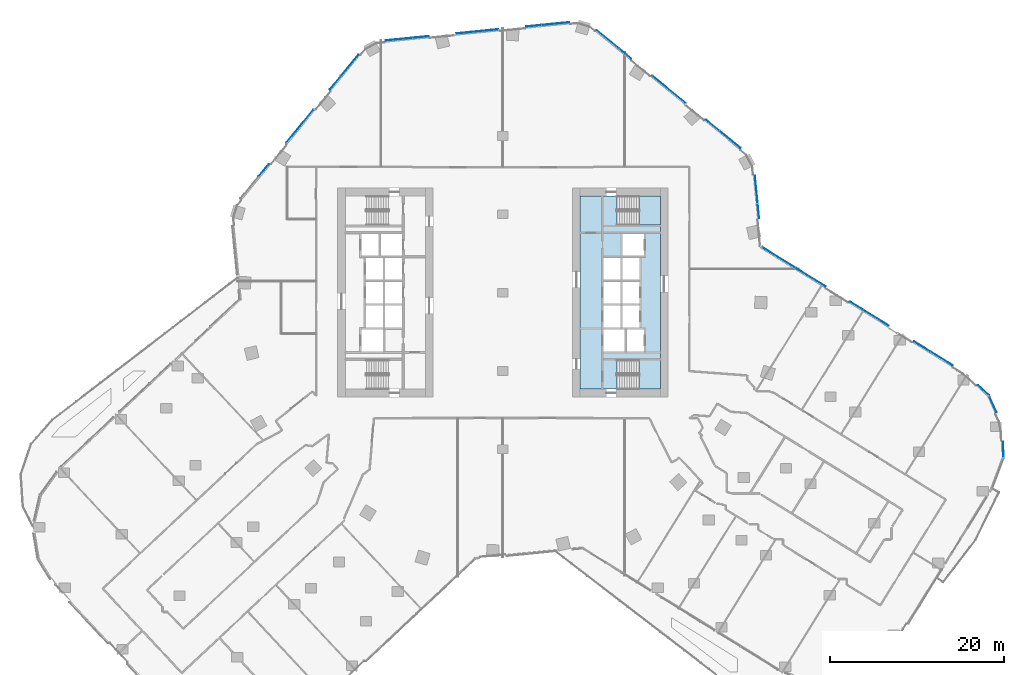
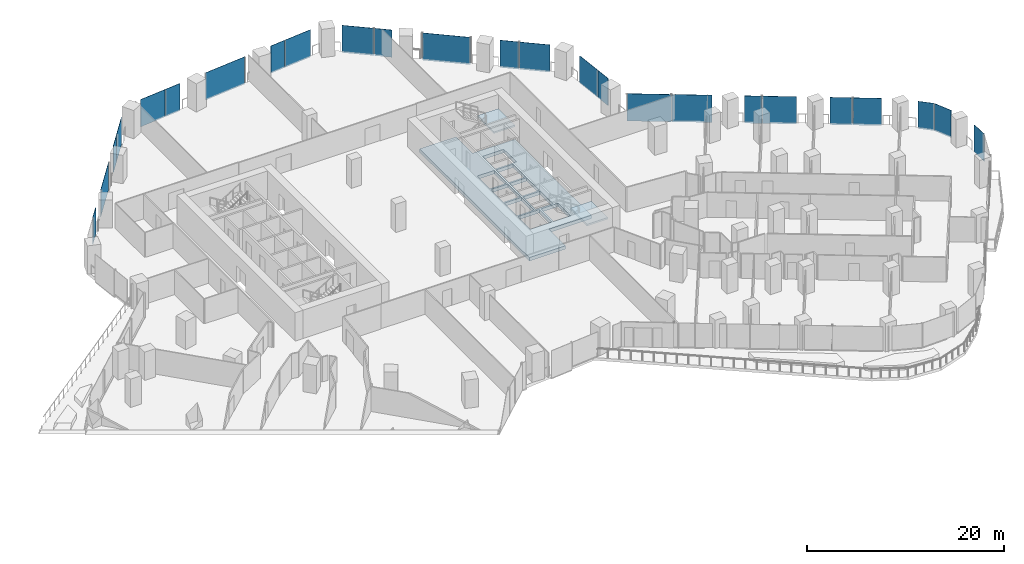
# One storey, part 22 of 34: 25 plates, 3 slabs, 10 elements without a shape of their own.
"""IFC4 building model written with IfcOpenShell, lengths in metres."""

import ifcopenshell
import ifcopenshell.guid

model = None  # the IFC model being written
_history = None  # IfcOwnerHistory: only IFC2X3 demands one
_inside = {}  # id of a spatial element -> (the spatial element, [elements in it])
_under = {}  # id of a project, library or spatial element -> (it, [spatial elements below it])
_declared = {}  # id of a project -> (the project, [libraries it declares])
_typed = {}  # id of a type object -> (the type object, [elements of that type])
_made_of = {}  # id of a material, layer set ... -> (it, [elements and type objects made of it])


def new_model(schema):
    """Start an empty IFC model of exactly this schema.

    Asked for "IFC4X3", IfcOpenShell would pick the latest addendum, in which some entities
    have other attributes; the version numbers below select the first issue.
    IFC2X3 requires an IfcOwnerHistory on every rooted entity: one is made here for all.
    """
    global model, _history
    if schema == "IFC4X3":
        model = ifcopenshell.file(schema_version=(4, 3, 0, 0))
    else:
        model = ifcopenshell.file(schema=schema)
    _inside.clear()
    _under.clear()
    _declared.clear()
    _typed.clear()
    _made_of.clear()
    _history = None
    if model.schema == "IFC2X3":
        org = make("IfcOrganization", Name="unknown")
        user = make(
            "IfcPersonAndOrganization",
            ThePerson=make("IfcPerson", FamilyName="unknown"),
            TheOrganization=org,
        )
        app = make(
            "IfcApplication",
            ApplicationDeveloper=org,
            Version="unknown",
            ApplicationFullName="unknown",
            ApplicationIdentifier="unknown",
        )
        _history = make(
            "IfcOwnerHistory",
            OwningUser=user,
            OwningApplication=app,
            ChangeAction="ADDED",
            CreationDate=0,
        )
    return model


def make(cls, **values):
    """One entity of the class cls with the attributes given. An attribute that is None is left unset."""
    return model.create_entity(
        cls, **{name: value for name, value in values.items() if value is not None}
    )


def rooted(cls, **values):
    """An entity with a GlobalId (a new one), such as an element, a storey or a relation."""
    return make(cls, GlobalId=ifcopenshell.guid.new(), OwnerHistory=_history, **values)


def si_unit(unit_type, name, prefix=None):
    """IfcSIUnit, for example si_unit("LENGTHUNIT", "METRE", prefix="MILLI")."""
    return make("IfcSIUnit", UnitType=unit_type, Prefix=prefix, Name=name)


def assignment(units):
    """IfcUnitAssignment: the units of a project."""
    return None if units is None else make("IfcUnitAssignment", Units=units)


def point(xyz):
    """IfcCartesianPoint."""
    return None if xyz is None else make("IfcCartesianPoint", Coordinates=xyz)


def direction(xyz):
    """IfcDirection."""
    return None if xyz is None else make("IfcDirection", DirectionRatios=xyz)


def frame(location, z_axis=None, x_axis=None):
    """IfcAxis2Placement3D, a coordinate frame: its origin and axes. An axis left out is left unset."""
    return make(
        "IfcAxis2Placement3D",
        Location=point(location),
        Axis=direction(z_axis),
        RefDirection=direction(x_axis),
    )


def frame_2d(location, x_axis=None):
    """IfcAxis2Placement2D, a coordinate frame in the plane: its origin and x axis."""
    return make(
        "IfcAxis2Placement2D", Location=point(location), RefDirection=direction(x_axis)
    )


def origin():
    """The frame at (0, 0, 0) with its axes left unset."""
    return frame((0.0, 0.0, 0.0))


def origin_2d():
    """The frame at (0, 0) in the plane with its x axis left unset."""
    return frame_2d((0.0, 0.0))


def place(relative_to, where):
    """IfcLocalPlacement: puts the frame where relative to a parent placement (None: the world)."""
    return make(
        "IfcLocalPlacement", PlacementRelTo=relative_to, RelativePlacement=where
    )


def context(
    kind, dimensions, precision=None, world=None, true_north=None, identifier=None
):
    """IfcGeometricRepresentationContext, for example the 3D "Model" context."""
    return make(
        "IfcGeometricRepresentationContext",
        ContextIdentifier=identifier,
        ContextType=kind,
        CoordinateSpaceDimension=dimensions,
        Precision=precision,
        WorldCoordinateSystem=world,
        TrueNorth=true_north,
    )


def subcontext(parent, identifier, kind, view, scale=None):
    """IfcGeometricRepresentationSubContext, for example "Body" below "Model"."""
    return make(
        "IfcGeometricRepresentationSubContext",
        ContextIdentifier=identifier,
        ContextType=kind,
        ParentContext=parent,
        TargetScale=scale,
        TargetView=view,
    )


def project(units=None, contexts=None):
    """IfcProject with its units and contexts."""
    return rooted(
        "IfcProject",
        Name="project",
        RepresentationContexts=contexts,
        UnitsInContext=assignment(units),
    )


def spatial(cls, under=None, at=None, **own):
    """A site, building, storey or space (cls), placed at a placement, below another one or the project."""
    s = rooted(cls, ObjectPlacement=at, **own)
    if under is not None:
        _under.setdefault(under.id(), (under, []))[1].append(s)
    return s


def polyline(points):
    """IfcPolyline through the points."""
    return make("IfcPolyline", Points=[point(p) for p in points])


def profile(cls, at=None, kind="AREA", **sizes):
    """A parametric profile (cls). Its sizes go by their IFC names, for example OverallWidth=200.0."""
    return make(cls, ProfileType=kind, Position=at, **sizes)


def rectangle(**sizes):
    """IfcRectangleProfileDef."""
    return profile("IfcRectangleProfileDef", **sizes)


def outline(outer, holes=None, kind="AREA"):
    """IfcArbitraryClosedProfileDef: a profile drawn as a closed curve; with holes, ...WithVoids."""
    if holes is None:
        return make("IfcArbitraryClosedProfileDef", ProfileType=kind, OuterCurve=outer)
    return make(
        "IfcArbitraryProfileDefWithVoids",
        ProfileType=kind,
        OuterCurve=outer,
        InnerCurves=holes,
    )


def extrude(swept, where, along, depth):
    """IfcExtrudedAreaSolid: the profile swept, set in the frame where, extruded along a direction by depth."""
    return make(
        "IfcExtrudedAreaSolid",
        SweptArea=swept,
        Position=where,
        ExtrudedDirection=direction(along),
        Depth=depth,
    )


def shape(context_of_items, identifier, shape_type, items):
    """IfcShapeRepresentation: the items that make up one representation, for example the "Body"."""
    return make(
        "IfcShapeRepresentation",
        ContextOfItems=context_of_items,
        RepresentationIdentifier=identifier,
        RepresentationType=shape_type,
        Items=items,
    )


def material(Name=None, Category=None):
    """IfcMaterial."""
    return make("IfcMaterial", Name=Name, Category=Category)


def layer(
    of_material, thickness, ventilated=None, Name=None, Category=None, Priority=None
):
    """IfcMaterialLayer: one layer of a wall or slab, of a material (None: an air gap)."""
    return make(
        "IfcMaterialLayer",
        Material=of_material,
        LayerThickness=thickness,
        IsVentilated=ventilated,
        Name=Name,
        Category=Category,
        Priority=Priority,
    )


def layer_set(layers, Name=None):
    """IfcMaterialLayerSet."""
    return make("IfcMaterialLayerSet", MaterialLayers=layers, LayerSetName=Name)


def made_of(thing, what):
    """Note that an element or type object is made of a material, layer set ...; save() writes the relation."""
    if what is not None:
        _made_of.setdefault(what.id(), (what, []))[1].append(thing)
    return thing


def type_object(cls, material=None, **own):
    """A type object (cls), such as IfcWallType, which elements share."""
    return made_of(rooted(cls, **own), material)


def element(
    cls,
    number,
    at=None,
    inside=None,
    cuts=None,
    type_object=None,
    material=None,
    context=None,
    identifier="Body",
    shape_type=None,
    held_by="IfcProductDefinitionShape",
    body=None,
    shapes=None,
    **own,
):
    """One element of the class cls, such as IfcWall. Its Tag is "e" and its number.

    at: its placement. inside: the storey or other place that contains it. cuts: it is an
    opening in that element (IfcRelVoidsElement). A single representation is given by context,
    identifier, shape_type and body (its items); several are given by shapes. held_by: the class
    of the entity that holds the representations. save() writes the other relations.
    """
    e = rooted(cls, Tag="e%d" % number, ObjectPlacement=at, **own)
    if body is not None:
        shapes = [shape(context, identifier, shape_type, body)]
    if shapes is not None:
        e.Representation = make(held_by, Representations=shapes)
    if inside is not None:
        _inside.setdefault(inside.id(), (inside, []))[1].append(e)
    if cuts is not None:
        rooted(
            "IfcRelVoidsElement", RelatingBuildingElement=cuts, RelatedOpeningElement=e
        )
    if type_object is not None:
        _typed.setdefault(type_object.id(), (type_object, []))[1].append(e)
    return made_of(e, material)


def aggregate(whole, parts):
    """IfcRelAggregates: a whole, such as a stair, and the parts it consists of."""
    return rooted("IfcRelAggregates", RelatingObject=whole, RelatedObjects=parts)


def save(model, path):
    """Write the relations noted so far, then the file.

    IfcRelAggregates (storeys below a building ...), IfcRelContainedInSpatialStructure (elements
    in a storey), IfcRelDefinesByType, IfcRelAssociatesMaterial and IfcRelDeclares: one each for
    every whole, place, type object, material and project.
    """
    for whole, parts in _under.values():
        aggregate(whole, parts)
    for where, things in _inside.values():
        rooted(
            "IfcRelContainedInSpatialStructure",
            RelatedElements=things,
            RelatingStructure=where,
        )
    for kind, things in _typed.values():
        rooted("IfcRelDefinesByType", RelatedObjects=things, RelatingType=kind)
    for what, things in _made_of.values():
        rooted("IfcRelAssociatesMaterial", RelatedObjects=things, RelatingMaterial=what)
    for by, libraries in _declared.values():
        rooted("IfcRelDeclares", RelatingContext=by, RelatedDefinitions=libraries)
    model.write(path)


model = new_model("IFC4")

# Units and contexts
model_context = context("Model", 3, precision=1e-05, world=origin(), true_north=direction((0.0, 1.0)))
body_context = subcontext(model_context, "Body", "Model", "MODEL_VIEW")
ifc_project = project(units=[si_unit("LENGTHUNIT", "METRE"), si_unit("AREAUNIT", "SQUARE_METRE"), si_unit("VOLUMEUNIT", "CUBIC_METRE"), si_unit("PLANEANGLEUNIT", "RADIAN"), si_unit("MASSUNIT", "GRAM", prefix="KILO")], contexts=[model_context])

# Site, building, storey
site_placement = place(None, origin())
site = spatial("IfcSite", under=ifc_project, at=site_placement, CompositionType="ELEMENT")
building_placement = place(site_placement, origin())
building = spatial("IfcBuilding", under=site, at=building_placement, Name="Orlundy Tower", CompositionType="ELEMENT")
storey_placement = place(building_placement, frame((0.0, 0.0, 37.300048828125)))
storey = spatial("IfcBuildingStorey", under=building, at=storey_placement, Name="L07", CompositionType="ELEMENT", Elevation=37.300048828125)

# Curtain wall, plates
ifc_material_1 = material(Name="Aluminium bronze anodised", Category="aluminium")
curtain_wall_type = type_object("IfcCurtainWallType", Name="CW1 wall", PredefinedType="NOTDEFINED", material=ifc_material_1)
curtain_wall_1_placement = place(storey_placement, origin())
curtain_wall_1 = element("IfcCurtainWall", 1, at=curtain_wall_1_placement, inside=storey, type_object=curtain_wall_type, Name="CW1 run 02", PredefinedType="NOTDEFINED")
ifc_material_2 = material(Name="Tinted glass", Category="glass")
ifc_layer_1 = layer(ifc_material_2, 0.031982421875)
ifc_layer_set_1 = layer_set([ifc_layer_1], Name="CW1 glass panel 32")
plate_type = type_object("IfcPlateType", Name="CW1 glass panel 32", PredefinedType="CURTAIN_PANEL", material=ifc_layer_set_1)
plate_1_placement = place(storey_placement, frame((-27.46728515625, 14.070556640625, -0.300048828125), z_axis=(0.0, 0.0, 1.0), x_axis=(0.633818264458, 0.773482002143, 0.0)))
plate_1 = element("IfcPlate", 2, at=plate_1_placement, type_object=plate_type, Name="CW1 panel", PredefinedType="CURTAIN_PANEL", context=body_context, shape_type="SweptSolid", body=[
    extrude(rectangle(XDim=1.809326171875, YDim=0.031982421875, at=origin_2d()), origin(), (0.0, 0.0, 1.0), 3.3798828125),
])
plate_2_placement = place(storey_placement, frame((-23.330810546875, 19.118408203125, -0.300048828125), z_axis=(0.0, 0.0, 1.0), x_axis=(0.633818264458, 0.773482002143, 0.0)))
plate_2 = element("IfcPlate", 3, at=plate_2_placement, type_object=plate_type, Name="CW1 panel", PredefinedType="CURTAIN_PANEL", context=body_context, shape_type="SweptSolid", body=[
    extrude(rectangle(XDim=4.92041015625, YDim=0.031982421875, at=origin_2d()), origin(), (0.0, 0.0, 1.0), 3.3798828125),
])
plate_3_placement = place(storey_placement, frame((-19.240234375, 24.1103515625, -0.300048828125), z_axis=(0.0, 0.0, 1.0), x_axis=(0.633818264458, 0.773482002143, 0.0)))
plate_3 = element("IfcPlate", 4, at=plate_3_placement, type_object=plate_type, Name="CW1 panel", PredefinedType="CURTAIN_PANEL", context=body_context, shape_type="SweptSolid", body=[
    extrude(rectangle(XDim=1.95361328125, YDim=0.031982421875, at=origin_2d()), origin(), (0.0, 0.0, 1.0), 3.3798828125),
])
plate_4_placement = place(storey_placement, frame((-17.60302734375, 26.1083984375, -0.300048828125), z_axis=(0.0, 0.0, 1.0), x_axis=(0.633818264458, 0.773482002143, 0.0)))
plate_4 = element("IfcPlate", 5, at=plate_4_placement, type_object=plate_type, Name="CW1 panel", PredefinedType="CURTAIN_PANEL", context=body_context, shape_type="SweptSolid", body=[
    extrude(rectangle(XDim=3.1123046875, YDim=0.031982421875, at=origin_2d()), origin(), (0.0, 0.0, 1.0), 3.3798828125),
])
aggregate(curtain_wall_1, [plate_1, plate_2, plate_3, plate_4])

curtain_wall_2_placement = place(storey_placement, origin())
curtain_wall_2 = element("IfcCurtainWall", 6, at=curtain_wall_2_placement, inside=storey, type_object=curtain_wall_type, Name="CW1 run 03", PredefinedType="NOTDEFINED")
plate_5_placement = place(storey_placement, frame((-11.924072265625, 29.128662109375, -0.300048828125), z_axis=(0.0, 0.0, 1.0), x_axis=(0.995112991912, 0.098742763424, 0.0)))
plate_5 = element("IfcPlate", 7, at=plate_5_placement, type_object=plate_type, Name="CW1 panel", PredefinedType="CURTAIN_PANEL", context=body_context, shape_type="SweptSolid", body=[
    extrude(rectangle(XDim=3.01708984375, YDim=0.031982421875, at=origin_2d()), origin(), (0.0, 0.0, 1.0), 3.3798828125),
])
plate_6_placement = place(storey_placement, frame((-9.447998046875, 29.374267578125, -0.300048828125), z_axis=(0.0, 0.0, 1.0), x_axis=(0.995112991912, 0.098742763424, 0.0)))
plate_6 = element("IfcPlate", 8, at=plate_6_placement, type_object=plate_type, Name="CW1 panel", PredefinedType="CURTAIN_PANEL", context=body_context, shape_type="SweptSolid", body=[
    extrude(rectangle(XDim=1.859375, YDim=0.031982421875, at=origin_2d()), origin(), (0.0, 0.0, 1.0), 3.3798828125),
])
plate_7_placement = place(storey_placement, frame((-2.94580078125, 30.01953125, -0.300048828125), z_axis=(0.0, 0.0, 1.0), x_axis=(0.995112991912, 0.098742763424, 0.0)))
plate_7 = element("IfcPlate", 9, at=plate_7_placement, type_object=plate_type, Name="CW1 panel", PredefinedType="CURTAIN_PANEL", context=body_context, shape_type="SweptSolid", body=[
    extrude(rectangle(XDim=4.8544921875, YDim=0.031982421875, at=origin_2d()), origin(), (0.0, 0.0, 1.0), 3.3798828125),
])
plate_8_placement = place(storey_placement, frame((3.56640625, 30.66552734375, -0.300048828125), z_axis=(0.0, 0.0, 1.0), x_axis=(0.995112991912, 0.098742763424, 0.0)))
plate_8 = element("IfcPlate", 10, at=plate_8_placement, type_object=plate_type, Name="CW1 panel", PredefinedType="CURTAIN_PANEL", context=body_context, shape_type="SweptSolid", body=[
    extrude(rectangle(XDim=1.707275390625, YDim=0.031982421875, at=origin_2d()), origin(), (0.0, 0.0, 1.0), 3.3798828125),
])
plate_9_placement = place(storey_placement, frame((6.042236328125, 30.911376953125, -0.300048828125), z_axis=(0.0, 0.0, 1.0), x_axis=(0.995112991912, 0.098742763424, 0.0)))
plate_9 = element("IfcPlate", 11, at=plate_9_placement, type_object=plate_type, Name="CW1 panel", PredefinedType="CURTAIN_PANEL", context=body_context, shape_type="SweptSolid", body=[
    extrude(rectangle(XDim=3.169189453125, YDim=0.031982421875, at=origin_2d()), origin(), (0.0, 0.0, 1.0), 3.3798828125),
])
aggregate(curtain_wall_2, [plate_5, plate_6, plate_7, plate_8, plate_9])

curtain_wall_3_placement = place(storey_placement, origin())
curtain_wall_3 = element("IfcCurtainWall", 12, at=curtain_wall_3_placement, inside=storey, type_object=curtain_wall_type, Name="CW1 run 04", PredefinedType="NOTDEFINED")
plate_10_placement = place(storey_placement, frame((12.071533203125, 29.10546875, -0.300048828125), z_axis=(0.0, 0.0, 1.0), x_axis=(0.773482002143, -0.633818264458, 0.0)))
plate_10 = element("IfcPlate", 13, at=plate_10_placement, type_object=plate_type, Name="CW1 panel", PredefinedType="CURTAIN_PANEL", context=body_context, shape_type="SweptSolid", body=[
    extrude(rectangle(XDim=3.259765625, YDim=0.031982421875, at=origin_2d()), origin(), (0.0, 0.0, 1.0), 3.3798828125),
])
plate_11_placement = place(storey_placement, frame((14.070556640625, 27.46728515625, -0.300048828125), z_axis=(0.0, 0.0, 1.0), x_axis=(0.773482002143, -0.633818264458, 0.0)))
plate_11 = element("IfcPlate", 14, at=plate_11_placement, type_object=plate_type, Name="CW1 panel", PredefinedType="CURTAIN_PANEL", context=body_context, shape_type="SweptSolid", body=[
    extrude(rectangle(XDim=1.809326171875, YDim=0.031982421875, at=origin_2d()), origin(), (0.0, 0.0, 1.0), 3.3798828125),
])
plate_12_placement = place(storey_placement, frame((19.118408203125, 23.330810546875, -0.300048828125), z_axis=(0.0, 0.0, 1.0), x_axis=(0.773482002143, -0.633818264458, 0.0)))
plate_12 = element("IfcPlate", 15, at=plate_12_placement, type_object=plate_type, Name="CW1 panel", PredefinedType="CURTAIN_PANEL", context=body_context, shape_type="SweptSolid", body=[
    extrude(rectangle(XDim=4.92041015625, YDim=0.031982421875, at=origin_2d()), origin(), (0.0, 0.0, 1.0), 3.3798828125),
])
plate_13_placement = place(storey_placement, frame((24.1103515625, 19.240234375, -0.300048828125), z_axis=(0.0, 0.0, 1.0), x_axis=(0.773482002143, -0.633818264458, 0.0)))
plate_13 = element("IfcPlate", 16, at=plate_13_placement, type_object=plate_type, Name="CW1 panel", PredefinedType="CURTAIN_PANEL", context=body_context, shape_type="SweptSolid", body=[
    extrude(rectangle(XDim=1.95361328125, YDim=0.031982421875, at=origin_2d()), origin(), (0.0, 0.0, 1.0), 3.3798828125),
])
plate_14_placement = place(storey_placement, frame((26.1083984375, 17.60302734375, -0.300048828125), z_axis=(0.0, 0.0, 1.0), x_axis=(0.773482002143, -0.633818264458, 0.0)))
plate_14 = element("IfcPlate", 17, at=plate_14_placement, type_object=plate_type, Name="CW1 panel", PredefinedType="CURTAIN_PANEL", context=body_context, shape_type="SweptSolid", body=[
    extrude(rectangle(XDim=3.1123046875, YDim=0.031982421875, at=origin_2d()), origin(), (0.0, 0.0, 1.0), 3.3798828125),
])
aggregate(curtain_wall_3, [plate_10, plate_11, plate_12, plate_13, plate_14])

curtain_wall_4_placement = place(storey_placement, origin())
curtain_wall_4 = element("IfcCurtainWall", 18, at=curtain_wall_4_placement, inside=storey, type_object=curtain_wall_type, Name="CW1 run 05", PredefinedType="NOTDEFINED")
plate_15_placement = place(storey_placement, frame((29.135986328125, 11.850341796875, -0.300048828125), z_axis=(0.0, 0.0, 1.0), x_axis=(0.098758968204, -0.995111383815, 0.0)))
plate_15 = element("IfcPlate", 19, at=plate_15_placement, type_object=plate_type, Name="CW1 panel", PredefinedType="CURTAIN_PANEL", context=body_context, shape_type="SweptSolid", body=[
    extrude(rectangle(XDim=3.165283203125, YDim=0.031982421875, at=origin_2d()), origin(), (0.0, 0.0, 1.0), 3.3798828125),
])
plate_16_placement = place(storey_placement, frame((29.381591796875, 9.374267578125, -0.300048828125), z_axis=(0.0, 0.0, 1.0), x_axis=(0.098758968204, -0.995111383815, 0.0)))
plate_16 = element("IfcPlate", 20, at=plate_16_placement, type_object=plate_type, Name="CW1 panel", PredefinedType="CURTAIN_PANEL", context=body_context, shape_type="SweptSolid", body=[
    extrude(rectangle(XDim=1.71142578125, YDim=0.031982421875, at=origin_2d()), origin(), (0.0, 0.0, 1.0), 3.3798828125),
])
aggregate(curtain_wall_4, [plate_15, plate_16])

curtain_wall_5_placement = place(storey_placement, origin())
curtain_wall_5 = element("IfcCurtainWall", 21, at=curtain_wall_5_placement, inside=storey, type_object=curtain_wall_type, Name="CW1 run 06", PredefinedType="NOTDEFINED")
plate_17_placement = place(storey_placement, frame((31.696533203125, 4.055419921875, -0.300048828125), z_axis=(0.0, 0.0, 1.0), x_axis=(0.849584043137, -0.527453271529, 0.0)))
plate_17 = element("IfcPlate", 22, at=plate_17_placement, type_object=plate_type, Name="CW1 panel", PredefinedType="CURTAIN_PANEL", context=body_context, shape_type="SweptSolid", body=[
    extrude(rectangle(XDim=4.48291015625, YDim=0.031982421875, at=origin_2d()), origin(), (0.0, 0.0, 1.0), 3.3798828125),
])
plate_18_placement = place(storey_placement, frame((35.36669921875, 1.77685546875, -0.300048828125), z_axis=(0.0, 0.0, 1.0), x_axis=(0.849584043137, -0.527453271529, 0.0)))
plate_18 = element("IfcPlate", 23, at=plate_18_placement, type_object=plate_type, Name="CW1 panel", PredefinedType="CURTAIN_PANEL", context=body_context, shape_type="SweptSolid", body=[
    extrude(rectangle(XDim=4.05712890625, YDim=0.031982421875, at=origin_2d()), origin(), (0.0, 0.0, 1.0), 3.3798828125),
])
plate_19_placement = place(storey_placement, frame((40.64892578125, -1.50244140625, -0.300048828125), z_axis=(0.0, 0.0, 1.0), x_axis=(0.849584043137, -0.527453271529, 0.0)))
plate_19 = element("IfcPlate", 24, at=plate_19_placement, type_object=plate_type, Name="CW1 panel", PredefinedType="CURTAIN_PANEL", context=body_context, shape_type="SweptSolid", body=[
    extrude(rectangle(XDim=1.76318359375, YDim=0.031982421875, at=origin_2d()), origin(), (0.0, 0.0, 1.0), 3.3798828125),
])
plate_20_placement = place(storey_placement, frame((42.90673828125, -2.904296875, -0.300048828125), z_axis=(0.0, 0.0, 1.0), x_axis=(0.849584043137, -0.527453271529, 0.0)))
plate_20 = element("IfcPlate", 25, at=plate_20_placement, type_object=plate_type, Name="CW1 panel", PredefinedType="CURTAIN_PANEL", context=body_context, shape_type="SweptSolid", body=[
    extrude(rectangle(XDim=3.4521484375, YDim=0.031982421875, at=origin_2d()), origin(), (0.0, 0.0, 1.0), 3.3798828125),
])
plate_21_placement = place(storey_placement, frame((48.23095703125, -6.209716796875, -0.300048828125), z_axis=(0.0, 0.0, 1.0), x_axis=(0.849584043137, -0.527453271529, 0.0)))
plate_21 = element("IfcPlate", 26, at=plate_21_placement, type_object=plate_type, Name="CW1 panel", PredefinedType="CURTAIN_PANEL", context=body_context, shape_type="SweptSolid", body=[
    extrude(rectangle(XDim=2.268798828125, YDim=0.031982421875, at=origin_2d()), origin(), (0.0, 0.0, 1.0), 3.3798828125),
])
plate_22_placement = place(storey_placement, frame((50.45947265625, -7.59326171875, -0.300048828125), z_axis=(0.0, 0.0, 1.0), x_axis=(0.849584043137, -0.527453271529, 0.0)))
plate_22 = element("IfcPlate", 27, at=plate_22_placement, type_object=plate_type, Name="CW1 panel", PredefinedType="CURTAIN_PANEL", context=body_context, shape_type="SweptSolid", body=[
    extrude(rectangle(XDim=2.87744140625, YDim=0.031982421875, at=origin_2d()), origin(), (0.0, 0.0, 1.0), 3.3798828125),
])
aggregate(curtain_wall_5, [plate_17, plate_18, plate_19, plate_20, plate_21, plate_22])

# Curtain wall, plate
curtain_wall_6_placement = place(storey_placement, origin())
curtain_wall_6 = element("IfcCurtainWall", 28, at=curtain_wall_6_placement, inside=storey, type_object=curtain_wall_type, Name="CW1 run 07", PredefinedType="NOTDEFINED")
plate_23_placement = place(storey_placement, frame((55.245361328125, -11.229736328125, -0.300048828125), z_axis=(0.0, 0.0, 1.0), x_axis=(0.730445026852, -0.682971494828, 0.0)))
plate_23 = element("IfcPlate", 29, at=plate_23_placement, type_object=plate_type, Name="CW1 panel", PredefinedType="CURTAIN_PANEL", context=body_context, shape_type="SweptSolid", body=[
    extrude(rectangle(XDim=1.715576171875, YDim=0.031982421875, at=origin_2d()), origin(), (0.0, 0.0, 1.0), 3.3798828125),
])
aggregate(curtain_wall_6, [plate_23])

curtain_wall_7_placement = place(storey_placement, origin())
curtain_wall_7 = element("IfcCurtainWall", 30, at=curtain_wall_7_placement, inside=storey, type_object=curtain_wall_type, Name="CW1 run 08", PredefinedType="NOTDEFINED")
plate_24_placement = place(storey_placement, frame((56.30712890625, -12.774658203125, -0.300048828125), z_axis=(0.0, 0.0, 1.0), x_axis=(0.413335357608, -0.91057887201, 0.0)))
plate_24 = element("IfcPlate", 31, at=plate_24_placement, type_object=plate_type, Name="CW1 panel", PredefinedType="CURTAIN_PANEL", context=body_context, shape_type="SweptSolid", body=[
    extrude(rectangle(XDim=2.1064453125, YDim=0.031982421875, at=origin_2d()), origin(), (0.0, 0.0, 1.0), 3.3798828125),
])
aggregate(curtain_wall_7, [plate_24])

curtain_wall_8_placement = place(storey_placement, origin())
curtain_wall_8 = element("IfcCurtainWall", 32, at=curtain_wall_8_placement, inside=storey, type_object=curtain_wall_type, Name="CW1 run 09", PredefinedType="NOTDEFINED")
plate_25_placement = place(storey_placement, frame((57.525146484375, -18.068115234375, -0.300048828125), z_axis=(0.0, 0.0, 1.0), x_axis=(0.033449557474, -0.99944040698, 0.0)))
plate_25 = element("IfcPlate", 33, at=plate_25_placement, type_object=plate_type, Name="CW1 panel", PredefinedType="CURTAIN_PANEL", context=body_context, shape_type="SweptSolid", body=[
    extrude(rectangle(XDim=1.90478515625, YDim=0.031982421875, at=origin_2d()), origin(), (0.0, 0.0, 1.0), 3.3798828125),
])
aggregate(curtain_wall_8, [plate_25])

# Slab
ifc_material_3 = material(Name="Concrete C50/60", Category="concrete")
ifc_layer_2 = layer(ifc_material_3, 0.419921875)
ifc_layer_set_2 = layer_set([ifc_layer_2], Name="Core Floor Slab 420")
slab_type_1 = type_object("IfcSlabType", Name="Core Floor Slab 420", PredefinedType="FLOOR", material=ifc_layer_set_2)
slab_1_placement = place(storey_placement, frame((0.0, 0.0, -0.420166015625)))
element("IfcSlab", 34, at=slab_1_placement, inside=storey, type_object=slab_type_1, Name="Core floor E08", PredefinedType="FLOOR", context=body_context, shape_type="SweptSolid", body=[
    extrude(outline(polyline([(13.14501953125, -7.75), (13.14501953125, -11.10009765625), (8.89990234375, -11.10009765625), (8.89990234375, 11.10009765625), (13.14501953125, 11.10009765625), (13.14501953125, 7.75), (18.10009765625, 7.75), (18.10009765625, -7.75), (13.14501953125, -7.75)]), holes=[polyline([(16.239990234375, 6.77490234375), (13.739990234375, 6.77490234375), (13.739990234375, 4.22509765625), (16.239990234375, 4.22509765625), (16.239990234375, 6.77490234375)]), polyline([(13.5400390625, 1.47509765625), (13.5400390625, 4.02490234375), (11.5400390625, 4.02490234375), (11.5400390625, 1.47509765625), (13.5400390625, 1.47509765625)]), polyline([(13.739990234375, 1.47509765625), (15.739990234375, 1.47509765625), (15.739990234375, 4.02490234375), (13.739990234375, 4.02490234375), (13.739990234375, 1.47509765625)]), polyline([(11.5400390625, 1.27490234375), (11.5400390625, -1.27490234375), (13.5400390625, -1.27490234375), (13.5400390625, 1.27490234375), (11.5400390625, 1.27490234375)]), polyline([(15.739990234375, 1.27490234375), (13.739990234375, 1.27490234375), (13.739990234375, -1.27490234375), (15.739990234375, -1.27490234375), (15.739990234375, 1.27490234375)]), polyline([(13.5400390625, -4.02490234375), (13.5400390625, -1.47509765625), (11.5400390625, -1.47509765625), (11.5400390625, -4.02490234375), (13.5400390625, -4.02490234375)]), polyline([(13.739990234375, -4.02490234375), (15.739990234375, -4.02490234375), (15.739990234375, -1.47509765625), (13.739990234375, -1.47509765625), (13.739990234375, -4.02490234375)]), polyline([(11.5400390625, -4.22509765625), (11.5400390625, -6.77490234375), (14.0400390625, -6.77490234375), (14.0400390625, -4.22509765625), (11.5400390625, -4.22509765625)]), polyline([(16.239990234375, -4.22509765625), (14.239990234375, -4.22509765625), (14.239990234375, -6.77490234375), (16.239990234375, -6.77490234375), (16.239990234375, -4.22509765625)])]), origin(), (0.0, 0.0, 1.0), 0.420166015625),
])

# Stair, slab
ifc_material_4 = material(Name="Concrete C50/60", Category="concrete")
stair_type = type_object("IfcStairType", Name="Exit Stair 20 risers", PredefinedType="HALF_TURN_STAIR", material=ifc_material_4)
stair_1_placement = place(storey_placement, origin())
stair_1 = element("IfcStair", 35, at=stair_1_placement, inside=storey, type_object=stair_type, Name="L07 Exit Stair ST-E1", PredefinedType="HALF_TURN_STAIR")
ifc_material_5 = material(Name="Concrete C50/60", Category="concrete")
ifc_layer_3 = layer(ifc_material_5, 0.199951171875)
ifc_layer_set_3 = layer_set([ifc_layer_3], Name="Exit Stair Landing")
slab_type_2 = type_object("IfcSlabType", Name="Exit Stair Landing", PredefinedType="LANDING", material=ifc_layer_set_3)
slab_2_placement = place(storey_placement, frame((0.0, 0.0, 1.550048828125)))
slab_2 = element("IfcSlab", 36, at=slab_2_placement, type_object=slab_type_2, Name="ST-E1 landing 1", PredefinedType="LANDING", context=body_context, shape_type="SweptSolid", body=[
    extrude(outline(polyline([(15.659912109375, -11.10009765625), (18.10009765625, -11.10009765625), (18.10009765625, -7.75), (15.659912109375, -7.75), (15.659912109375, -11.10009765625)])), origin(), (0.0, 0.0, 1.0), 0.199951171875),
])
aggregate(stair_1, [slab_2])

stair_2_placement = place(storey_placement, origin())
stair_2 = element("IfcStair", 37, at=stair_2_placement, inside=storey, type_object=stair_type, Name="L07 Exit Stair ST-E2", PredefinedType="HALF_TURN_STAIR")
slab_3_placement = place(storey_placement, frame((0.0, 0.0, 1.550048828125)))
slab_3 = element("IfcSlab", 38, at=slab_3_placement, type_object=slab_type_2, Name="ST-E2 landing 1", PredefinedType="LANDING", context=body_context, shape_type="SweptSolid", body=[
    extrude(outline(polyline([(15.659912109375, 7.75), (18.10009765625, 7.75), (18.10009765625, 11.10009765625), (15.659912109375, 11.10009765625), (15.659912109375, 7.75)])), origin(), (0.0, 0.0, 1.0), 0.199951171875),
])
aggregate(stair_2, [slab_3])

save(model, "model.ifc")
